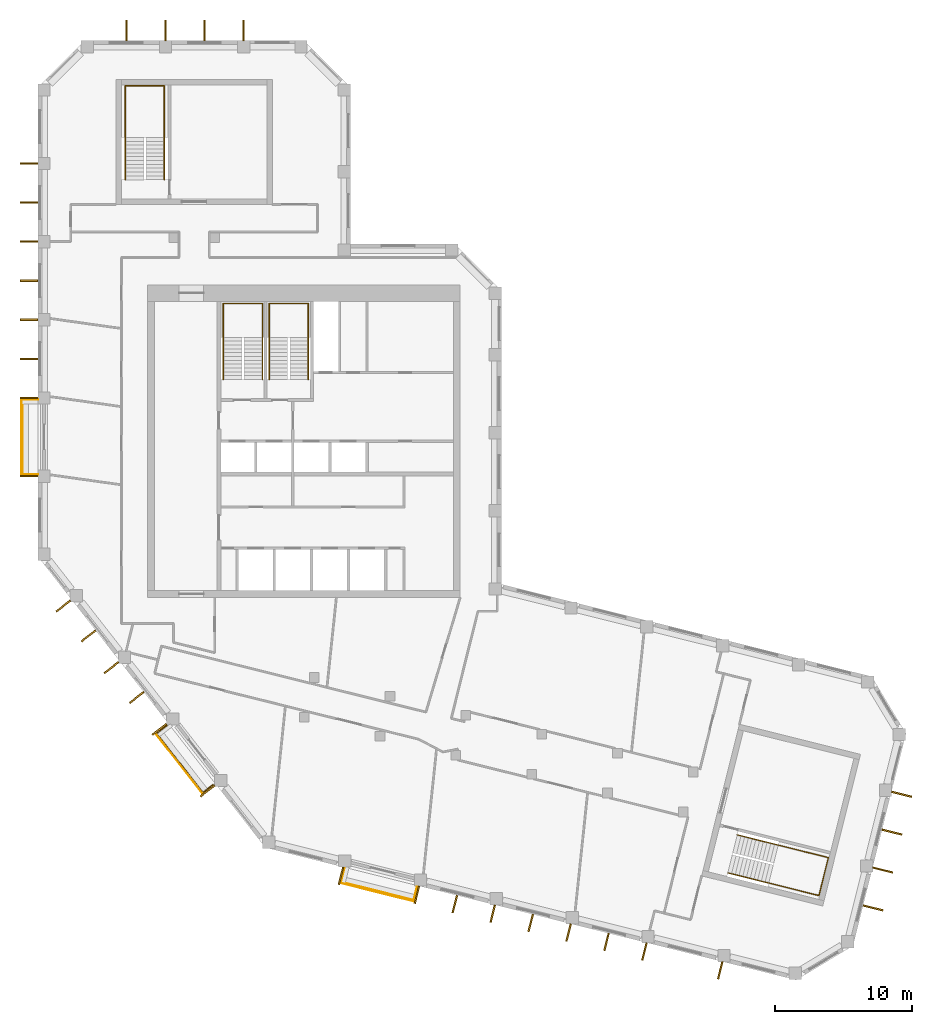
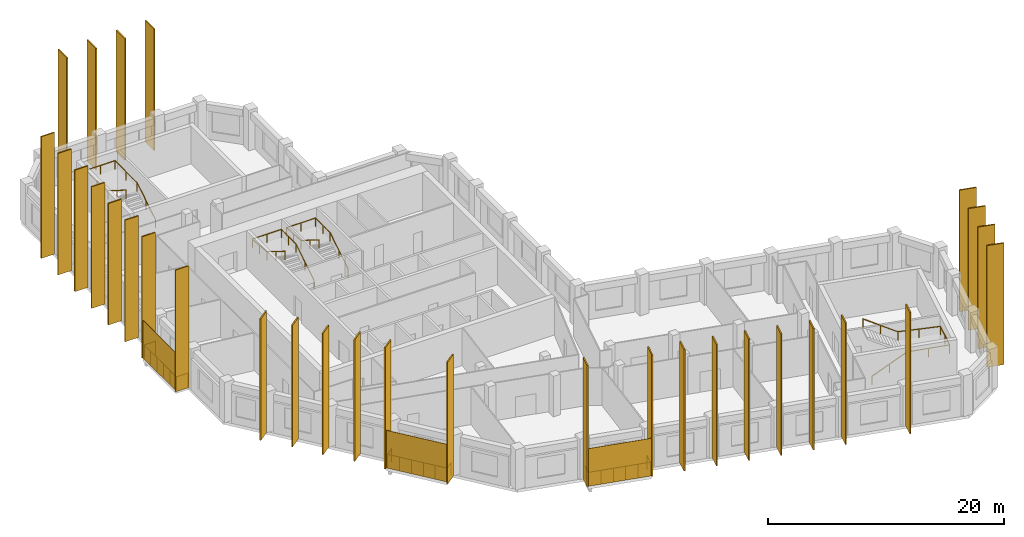
# One storey, part 8 of 8: 34 shading devices, 7 railings.
"""IFC4 building model written with IfcOpenShell, lengths in metres."""

from ifc_helpers import new_model, si_unit, direction, frame, origin, origin_2d, place, context, subcontext, project, spatial, rectangle, circle, extrude, material, layer, layer_set, type_object, element, save


model = new_model("IFC4")

# Units and contexts
model_context = context("Model", 3, precision=1e-05, world=origin(), true_north=direction((0.0, 1.0)))
body_context = subcontext(model_context, "Body", "Model", "MODEL_VIEW")
ifc_project = project(units=[si_unit("LENGTHUNIT", "METRE"), si_unit("AREAUNIT", "SQUARE_METRE"), si_unit("VOLUMEUNIT", "CUBIC_METRE"), si_unit("PLANEANGLEUNIT", "RADIAN"), si_unit("MASSUNIT", "GRAM", prefix="KILO")], contexts=[model_context])

# Site, building, storey
site_placement = place(None, origin())
site = spatial("IfcSite", under=ifc_project, at=site_placement, CompositionType="ELEMENT")
building_placement = place(site_placement, origin())
building = spatial("IfcBuilding", under=site, at=building_placement, Name="Meshkara Civic Tower", CompositionType="ELEMENT")
storey_placement = place(building_placement, frame((0.0, 0.0, 387.60009765625)))
storey = spatial("IfcBuildingStorey", under=building, at=storey_placement, Name="L89", CompositionType="ELEMENT", Elevation=387.60009765625)

# Railings
ifc_material_1 = material(Name="Steel S355", Category="steel")
railing_type_1 = type_object("IfcRailingType", Name="BALUSTRADE GUARD 1400", PredefinedType="BALUSTRADE", material=ifc_material_1)
railing_1_placement = place(storey_placement, frame((0.0, 28.534912109375, 0.0)))
element("IfcRailing", 1, at=railing_1_placement, inside=storey, type_object=railing_type_1, Name="Balcony guard", PredefinedType="BALUSTRADE", context=body_context, shape_type="SweptSolid", body=[
    extrude(circle(Radius=0.02392578125, at=origin_2d()), frame((0.0, 0.0, 1.3759765625), z_axis=(-1.0, 0.0, 0.0), x_axis=(0.0, -1.0, 0.0)), (0.0, 0.0, 1.0), 1.110107421875),
    extrude(circle(Radius=0.02392578125, at=origin_2d()), frame((-1.110107421875, 0.0, 1.3759765625), z_axis=(0.0, -1.0, 0.0), x_axis=(1.0, 0.0, 0.0)), (0.0, 0.0, 1.0), 5.4599609375),
    extrude(circle(Radius=0.02392578125, at=origin_2d()), frame((-1.110107421875, -5.4599609375, 1.3759765625), z_axis=(1.0, 0.0, 0.0), x_axis=(0.0, 1.0, 0.0)), (0.0, 0.0, 1.0), 1.110107421875),
    extrude(circle(Radius=0.02099609375, at=origin_2d()), origin(), (0.0, 0.0, 1.0), 1.351806640625),
    extrude(circle(Radius=0.02099609375, at=origin_2d()), frame((-1.110107421875, 0.0, 0.0)), (0.0, 0.0, 1.0), 1.351806640625),
    extrude(circle(Radius=0.02099609375, at=origin_2d()), frame((-1.110107421875, -1.092041015625, 0.0)), (0.0, 0.0, 1.0), 1.351806640625),
    extrude(circle(Radius=0.02099609375, at=origin_2d()), frame((-1.110107421875, -2.18408203125, 0.0)), (0.0, 0.0, 1.0), 1.351806640625),
    extrude(circle(Radius=0.02099609375, at=origin_2d()), frame((-1.110107421875, -3.27587890625, 0.0)), (0.0, 0.0, 1.0), 1.351806640625),
    extrude(circle(Radius=0.02099609375, at=origin_2d()), frame((-1.110107421875, -4.367919921875, 0.0)), (0.0, 0.0, 1.0), 1.351806640625),
    extrude(circle(Radius=0.02099609375, at=origin_2d()), frame((-1.110107421875, -5.4599609375, 0.0)), (0.0, 0.0, 1.0), 1.351806640625),
    extrude(circle(Radius=0.02099609375, at=origin_2d()), frame((0.0, -5.4599609375, 0.0)), (0.0, 0.0, 1.0), 1.351806640625),
])
railing_2_placement = place(storey_placement, frame((9.408935546875, 4.761962890625, 0.0)))
element("IfcRailing", 2, at=railing_2_placement, inside=storey, type_object=railing_type_1, Name="Balcony guard", PredefinedType="BALUSTRADE", context=body_context, shape_type="SweptSolid", body=[
    extrude(circle(Radius=0.02392578125, at=origin_2d()), frame((0.0, 0.0, 1.3759765625), z_axis=(-0.7875216523, -0.616286984415, 0.0), x_axis=(0.616286984415, -0.7875216523, 0.0)), (0.0, 0.0, 1.0), 0.92822265625),
    extrude(circle(Radius=0.02392578125, at=origin_2d()), frame((-0.73095703125, -0.572021484375, 1.3759765625), z_axis=(0.615660530481, -0.788011491799, 0.0), x_axis=(0.788011491799, 0.615660530481, 0.0)), (0.0, 0.0, 1.0), 5.459228515625),
    extrude(circle(Radius=0.02392578125, at=origin_2d()), frame((2.630126953125, -4.8740234375, 1.3759765625), z_axis=(0.7875216523, 0.616286984415, 0.0), x_axis=(-0.616286984415, 0.7875216523, 0.0)), (0.0, 0.0, 1.0), 0.92822265625),
    extrude(circle(Radius=0.02099609375, at=origin_2d()), origin(), (0.0, 0.0, 1.0), 1.351806640625),
    extrude(circle(Radius=0.02099609375, at=origin_2d()), frame((-0.73095703125, -0.572021484375, 0.0)), (0.0, 0.0, 1.0), 1.351806640625),
    extrude(circle(Radius=0.02099609375, at=origin_2d()), frame((-0.058837890625, -1.432373046875, 0.0)), (0.0, 0.0, 1.0), 1.351806640625),
    extrude(circle(Radius=0.02099609375, at=origin_2d()), frame((0.613525390625, -2.292724609375, 0.0)), (0.0, 0.0, 1.0), 1.351806640625),
    extrude(circle(Radius=0.02099609375, at=origin_2d()), frame((1.28564453125, -3.1533203125, 0.0)), (0.0, 0.0, 1.0), 1.351806640625),
    extrude(circle(Radius=0.02099609375, at=origin_2d()), frame((1.9580078125, -4.013671875, 0.0)), (0.0, 0.0, 1.0), 1.351806640625),
    extrude(circle(Radius=0.02099609375, at=origin_2d()), frame((2.630126953125, -4.8740234375, 0.0)), (0.0, 0.0, 1.0), 1.351806640625),
    extrude(circle(Radius=0.02099609375, at=origin_2d()), frame((3.361083984375, -4.302001953125, 0.0)), (0.0, 0.0, 1.0), 1.351806640625),
])
railing_3_placement = place(storey_placement, frame((22.365966796875, -5.675048828125, 0.0)))
element("IfcRailing", 3, at=railing_3_placement, inside=storey, type_object=railing_type_1, Name="Balcony guard", PredefinedType="BALUSTRADE", context=body_context, shape_type="SweptSolid", body=[
    extrude(circle(Radius=0.02392578125, at=origin_2d()), frame((0.0, 0.0, 1.3759765625), z_axis=(-0.241290129851, -0.970453024745, 0.0), x_axis=(0.970453024745, -0.241290129851, 0.0)), (0.0, 0.0, 1.0), 1.014892578125),
    extrude(circle(Radius=0.02392578125, at=origin_2d()), frame((-0.244873046875, -0.98486328125, 1.3759765625), z_axis=(0.970321130255, -0.241819983006, 0.0), x_axis=(0.241819983006, 0.970321130255, 0.0)), (0.0, 0.0, 1.0), 5.458984375),
    extrude(circle(Radius=0.02392578125, at=origin_2d()), frame((5.052001953125, -2.304931640625, 1.3759765625), z_axis=(0.242648904851, 0.970114173164, 0.0), x_axis=(-0.970114173164, 0.242648904851, 0.0)), (0.0, 0.0, 1.0), 1.01416015625),
    extrude(circle(Radius=0.02099609375, at=origin_2d()), origin(), (0.0, 0.0, 1.0), 1.351806640625),
    extrude(circle(Radius=0.02099609375, at=origin_2d()), frame((-0.244873046875, -0.98486328125, 0.0)), (0.0, 0.0, 1.0), 1.351806640625),
    extrude(circle(Radius=0.02099609375, at=origin_2d()), frame((0.814453125, -1.248779296875, 0.0)), (0.0, 0.0, 1.0), 1.351806640625),
    extrude(circle(Radius=0.02099609375, at=origin_2d()), frame((1.873779296875, -1.512939453125, 0.0)), (0.0, 0.0, 1.0), 1.351806640625),
    extrude(circle(Radius=0.02099609375, at=origin_2d()), frame((2.933349609375, -1.77685546875, 0.0)), (0.0, 0.0, 1.0), 1.351806640625),
    extrude(circle(Radius=0.02099609375, at=origin_2d()), frame((3.99267578125, -2.041015625, 0.0)), (0.0, 0.0, 1.0), 1.351806640625),
    extrude(circle(Radius=0.02099609375, at=origin_2d()), frame((5.052001953125, -2.304931640625, 0.0)), (0.0, 0.0, 1.0), 1.351806640625),
    extrude(circle(Radius=0.02099609375, at=origin_2d()), frame((5.298095703125, -1.321044921875, 0.0)), (0.0, 0.0, 1.0), 1.351806640625),
])

# Shading devices
ifc_material_2 = material(Name="Bronze anodised aluminium", Category="aluminium")
ifc_layer_1 = layer(ifc_material_2, 0.1201171875)
ifc_layer_set_1 = layer_set([ifc_layer_1], Name="BRONZE FIN 1300")
shading_device_type_1 = type_object("IfcShadingDeviceType", Name="BRONZE FIN 1300", PredefinedType="USERDEFINED", material=ifc_layer_set_1)
for number, where, z_axis, x_axis, name in (
    (4, (-0.64990234375, 45.7548828125, -0.000244140625), (0.0, 0.0, 1.0), (0.0, -1.0, 0.0), "Fin"),
    (5, (-0.64990234375, 42.905029296875, -0.000244140625), (0.0, 0.0, 1.0), (0.0, -1.0, 0.0), "Fin"),
    (6, (-0.64990234375, 40.054931640625, -0.000244140625), (0.0, 0.0, 1.0), (0.0, -1.0, 0.0), "Fin"),
    (7, (-0.64990234375, 37.205078125, -0.000244140625), (0.0, 0.0, 1.0), (0.0, -1.0, 0.0), "Fin"),
    (8, (-0.64990234375, 34.35498046875, -0.000244140625), (0.0, 0.0, 1.0), (0.0, -1.0, 0.0), "Fin"),
    (9, (-0.64990234375, 31.5048828125, -0.000244140625), (0.0, 0.0, 1.0), (0.0, -1.0, 0.0), "Fin"),
    (10, (-0.64990234375, 28.655029296875, -0.000244140625), (0.0, 0.0, 1.0), (0.0, -1.0, 0.0), "Fin"),
    (11, (-0.64990234375, 22.955078125, -0.000244140625), (0.0, 0.0, 1.0), (0.0, -1.0, 0.0), "Fin"),
    (12, (1.85205078125, 13.47705078125, -0.000244140625), (0.0, 0.0, 1.0), (0.615661475326, -0.788010753607, 0.0), "Fin"),
    (13, (3.701904296875, 11.305908203125, -0.000244140625), (0.0, 0.0, 1.0), (0.615661475326, -0.788010753607, 0.0), "Fin"),
    (14, (5.361083984375, 8.985107421875, -0.000244140625), (0.0, 0.0, 1.0), (0.615661475326, -0.788010753607, 0.0), "Fin"),
    (15, (7.2109375, 6.81396484375, -0.000244140625), (0.0, 0.0, 1.0), (0.615661475326, -0.788010753607, 0.0), "Fin"),
    (16, (8.87109375, 4.492919921875, -0.000244140625), (0.0, 0.0, 1.0), (0.615661475326, -0.788010753607, 0.0), "Fin"),
    (17, (12.3798828125, 0.001953125, -0.000244140625), (0.0, 0.0, 1.0), (0.615661475326, -0.788010753607, 0.0), "Fin"),
    (18, (22.113037109375, -6.197998046875, -0.000244140625), (0.0, 0.0, 1.0), (0.970295726276, -0.2419218956, 0.0), "Fin"),
    (19, (27.64306640625, -7.576904296875, -0.000244140625), (0.0, 0.0, 1.0), (0.970295726276, -0.2419218956, 0.0), "Fin"),
    (20, (30.410888671875, -8.2529296875, -0.000244140625), (0.0, 0.0, 1.0), (0.970295726276, -0.2419218956, 0.0), "Fin"),
    (21, (33.174072265625, -8.9560546875, -0.000244140625), (0.0, 0.0, 1.0), (0.970295726276, -0.2419218956, 0.0), "Fin"),
    (22, (35.94189453125, -9.632080078125, -0.000244140625), (0.0, 0.0, 1.0), (0.970295726276, -0.2419218956, 0.0), "Fin"),
    (23, (38.705078125, -10.3349609375, -0.000244140625), (0.0, 0.0, 1.0), (0.970295726276, -0.2419218956, 0.0), "Fin"),
    (24, (41.472900390625, -11.010986328125, -0.000244140625), (0.0, 0.0, 1.0), (0.970295726276, -0.2419218956, 0.0), "Fin"),
    (25, (44.235107421875, -11.714111328125, -0.000244140625), (0.0, 0.0, 1.0), (0.970295726276, -0.2419218956, 0.0), "Fin"),
    (26, (49.76611328125, -13.093017578125, -0.000244140625), (0.0, 0.0, 1.0), (0.970295726276, -0.2419218956, 0.0), "Fin"),
):
    element("IfcShadingDevice", number, at=place(storey_placement, frame(where, z_axis=z_axis, x_axis=x_axis)), inside=storey, type_object=shading_device_type_1, Name=name, ObjectType="FIN", PredefinedType="USERDEFINED", context=body_context, shape_type="SweptSolid", body=[
        extrude(rectangle(XDim=0.1201171875, YDim=1.300048828125, at=origin_2d()), origin(), (0.0, 0.0, 1.0), 12.60009765625),
    ])
ifc_material_3 = material(Name="Bronze anodised aluminium", Category="aluminium")
ifc_layer_2 = layer(ifc_material_3, 0.1201171875)
ifc_layer_set_2 = layer_set([ifc_layer_2], Name="BRONZE FIN 1500")
shading_device_type_2 = type_object("IfcShadingDeviceType", Name="BRONZE FIN 1500", PredefinedType="USERDEFINED", material=ifc_layer_set_2)
for number, where, z_axis, x_axis, name in (
    (27, (15.006103515625, 55.469970703125, -0.000244140625), (0.0, 0.0, 1.0), (-1.0, 0.0, 0.0), "Fin"),
    (28, (12.156005859375, 55.469970703125, -0.000244140625), (0.0, 0.0, 1.0), (-1.0, 0.0, 0.0), "Fin"),
    (29, (9.305908203125, 55.469970703125, -0.000244140625), (0.0, 0.0, 1.0), (-1.0, 0.0, 0.0), "Fin"),
    (30, (6.4560546875, 55.469970703125, -0.000244140625), (0.0, 0.0, 1.0), (-1.0, 0.0, 0.0), "Fin"),
    (31, (60.9150390625, -8.533935546875, -0.000244140625), (0.0, 0.0, 1.0), (0.2419218956, 0.970295726276, 0.0), "Fin"),
    (32, (61.617919921875, -5.77197265625, -0.000244140625), (0.0, 0.0, 1.0), (0.2419218956, 0.970295726276, 0.0), "Fin"),
    (33, (62.2939453125, -3.0029296875, -0.000244140625), (0.0, 0.0, 1.0), (0.2419218956, 0.970295726276, 0.0), "Fin"),
    (34, (62.9970703125, -0.241943359375, -0.000244140625), (0.0, 0.0, 1.0), (0.2419218956, 0.970295726276, 0.0), "Fin"),
):
    element("IfcShadingDevice", number, at=place(storey_placement, frame(where, z_axis=z_axis, x_axis=x_axis)), inside=storey, type_object=shading_device_type_2, Name=name, ObjectType="FIN", PredefinedType="USERDEFINED", context=body_context, shape_type="SweptSolid", body=[
        extrude(rectangle(XDim=0.1201171875, YDim=1.5, at=origin_2d()), origin(), (0.0, 0.0, 1.0), 12.60009765625),
    ])
ifc_material_4 = material(Name="Perforated bronze anodised aluminium sheet", Category="aluminium")
ifc_layer_3 = layer(ifc_material_4, 0.0400390625)
ifc_layer_set_3 = layer_set([ifc_layer_3], Name="PERFORATED BRONZE SCREEN")
shading_device_type_3 = type_object("IfcShadingDeviceType", Name="PERFORATED BRONZE SCREEN", PredefinedType="USERDEFINED", material=ifc_layer_set_3)
shading_device_placement = place(storey_placement, frame((-1.179931640625, 25.804931640625, 0.0), z_axis=(0.0, 0.0, 1.0), x_axis=(0.0, -1.0, 0.0)))
element("IfcShadingDevice", 35, at=shading_device_placement, inside=storey, type_object=shading_device_type_3, Name="Balcony screen", ObjectType="SCREEN", PredefinedType="USERDEFINED", context=body_context, shape_type="SweptSolid", body=[
    extrude(rectangle(XDim=5.580078125, YDim=0.0400390625, at=origin_2d()), origin(), (0.0, 0.0, 1.0), 3.89990234375),
])
for number, where, z_axis, x_axis, name in (
    (36, (10.302978515625, 1.99609375, 0.0), (0.0, 0.0, 1.0), (0.615661475326, -0.788010753607, 0.0), "Balcony screen"),
    (37, (24.7529296875, -7.387939453125, 0.0), (0.0, 0.0, 1.0), (0.970295726276, -0.2419218956, 0.0), "Balcony screen"),
):
    element("IfcShadingDevice", number, at=place(storey_placement, frame(where, z_axis=z_axis, x_axis=x_axis)), inside=storey, type_object=shading_device_type_3, Name=name, ObjectType="SCREEN", PredefinedType="USERDEFINED", context=body_context, shape_type="SweptSolid", body=[
        extrude(rectangle(XDim=5.5791015625, YDim=0.0400390625, at=origin_2d()), origin(), (0.0, 0.0, 1.0), 3.89990234375),
    ])

# Railings
ifc_material_5 = material(Name="Steel handrail", Category="steel")
railing_type_2 = type_object("IfcRailingType", Name="Stair handrail 900", PredefinedType="HANDRAIL", material=ifc_material_5)
railing_4_placement = place(storey_placement, frame((16.375, 30.0, 0.1748046875)))
element("IfcRailing", 38, at=railing_4_placement, inside=storey, type_object=railing_type_2, Name="L89 ST1 stair handrail 1", PredefinedType="HANDRAIL", context=body_context, shape_type="SweptSolid", body=[
    extrude(circle(Radius=0.02392578125, at=origin_2d()), frame((0.0, 0.0, 0.8759765625), z_axis=(0.0, 0.847998304005, 0.529998940003), x_axis=(-1.0, 0.0, 0.0)), (0.0, 0.0, 1.0), 3.632080078125),
    extrude(circle(Radius=0.02392578125, at=origin_2d()), frame((0.0, 3.080078125, 2.80078125), z_axis=(0.0, 1.0, 0.0), x_axis=(-1.0, 0.0, 0.0)), (0.0, 0.0, 1.0), 2.469970703125),
    extrude(circle(Radius=0.02392578125, at=origin_2d()), frame((0.0, 5.550048828125, 2.80078125), z_axis=(-1.0, 0.0, 0.0), x_axis=(0.0, -1.0, 0.0)), (0.0, 0.0, 1.0), 2.85009765625),
    extrude(circle(Radius=0.02392578125, at=origin_2d()), frame((-2.85009765625, 5.550048828125, 2.80078125), z_axis=(0.0, -0.997498084828, 0.070693498747), x_axis=(1.0, 0.0, 0.0)), (0.0, 0.0, 1.0), 2.47607421875),
    extrude(circle(Radius=0.02392578125, at=origin_2d()), frame((-2.85009765625, 3.080078125, 2.97607421875), z_axis=(0.0, -0.847998304005, 0.529998940003), x_axis=(1.0, 0.0, 0.0)), (0.0, 0.0, 1.0), 3.632080078125),
    extrude(circle(Radius=0.02099609375, at=origin_2d()), origin(), (0.0, 0.0, 1.0), 0.851806640625),
    extrude(circle(Radius=0.02099609375, at=origin_2d()), frame((0.0, 1.5400390625, 0.96240234375)), (0.0, 0.0, 1.0), 0.851806640625),
    extrude(circle(Radius=0.02099609375, at=origin_2d()), frame((0.0, 3.080078125, 1.925048828125)), (0.0, 0.0, 1.0), 0.851806640625),
    extrude(circle(Radius=0.02099609375, at=origin_2d()), frame((0.0, 4.31494140625, 1.925048828125)), (0.0, 0.0, 1.0), 0.851806640625),
    extrude(circle(Radius=0.02099609375, at=origin_2d()), frame((0.0, 5.550048828125, 1.925048828125)), (0.0, 0.0, 1.0), 0.851806640625),
    extrude(circle(Radius=0.02099609375, at=origin_2d()), frame((-1.425048828125, 5.550048828125, 1.925048828125)), (0.0, 0.0, 1.0), 0.851806640625),
    extrude(circle(Radius=0.02099609375, at=origin_2d()), frame((-2.85009765625, 5.550048828125, 1.925048828125)), (0.0, 0.0, 1.0), 0.851806640625),
    extrude(circle(Radius=0.02099609375, at=origin_2d()), frame((-2.85009765625, 4.31494140625, 2.0126953125)), (0.0, 0.0, 1.0), 0.851806640625),
    extrude(circle(Radius=0.02099609375, at=origin_2d()), frame((-2.85009765625, 3.080078125, 2.10009765625)), (0.0, 0.0, 1.0), 0.851806640625),
    extrude(circle(Radius=0.02099609375, at=origin_2d()), frame((-2.85009765625, 1.5400390625, 3.0625)), (0.0, 0.0, 1.0), 0.851806640625),
    extrude(circle(Radius=0.02099609375, at=origin_2d()), frame((-2.85009765625, 0.0, 4.025146484375)), (0.0, 0.0, 1.0), 0.851806640625),
])
railing_5_placement = place(storey_placement, frame((19.72509765625, 30.0, 0.1748046875)))
element("IfcRailing", 39, at=railing_5_placement, inside=storey, type_object=railing_type_2, Name="L89 ST2 stair handrail 1", PredefinedType="HANDRAIL", context=body_context, shape_type="SweptSolid", body=[
    extrude(circle(Radius=0.02392578125, at=origin_2d()), frame((0.0, 0.0, 0.8759765625), z_axis=(0.0, 0.847998304005, 0.529998940003), x_axis=(-1.0, 0.0, 0.0)), (0.0, 0.0, 1.0), 3.632080078125),
    extrude(circle(Radius=0.02392578125, at=origin_2d()), frame((0.0, 3.080078125, 2.80078125), z_axis=(0.0, 1.0, 0.0), x_axis=(-1.0, 0.0, 0.0)), (0.0, 0.0, 1.0), 2.469970703125),
    extrude(circle(Radius=0.02392578125, at=origin_2d()), frame((0.0, 5.550048828125, 2.80078125), z_axis=(-1.0, 0.0, 0.0), x_axis=(0.0, -1.0, 0.0)), (0.0, 0.0, 1.0), 2.85009765625),
    extrude(circle(Radius=0.02392578125, at=origin_2d()), frame((-2.85009765625, 5.550048828125, 2.80078125), z_axis=(0.0, -0.997498084828, 0.070693498747), x_axis=(1.0, 0.0, 0.0)), (0.0, 0.0, 1.0), 2.47607421875),
    extrude(circle(Radius=0.02392578125, at=origin_2d()), frame((-2.85009765625, 3.080078125, 2.97607421875), z_axis=(0.0, -0.847998304005, 0.529998940003), x_axis=(1.0, 0.0, 0.0)), (0.0, 0.0, 1.0), 3.632080078125),
    extrude(circle(Radius=0.02099609375, at=origin_2d()), origin(), (0.0, 0.0, 1.0), 0.851806640625),
    extrude(circle(Radius=0.02099609375, at=origin_2d()), frame((0.0, 1.5400390625, 0.96240234375)), (0.0, 0.0, 1.0), 0.851806640625),
    extrude(circle(Radius=0.02099609375, at=origin_2d()), frame((0.0, 3.080078125, 1.925048828125)), (0.0, 0.0, 1.0), 0.851806640625),
    extrude(circle(Radius=0.02099609375, at=origin_2d()), frame((0.0, 4.31494140625, 1.925048828125)), (0.0, 0.0, 1.0), 0.851806640625),
    extrude(circle(Radius=0.02099609375, at=origin_2d()), frame((0.0, 5.550048828125, 1.925048828125)), (0.0, 0.0, 1.0), 0.851806640625),
    extrude(circle(Radius=0.02099609375, at=origin_2d()), frame((-1.425048828125, 5.550048828125, 1.925048828125)), (0.0, 0.0, 1.0), 0.851806640625),
    extrude(circle(Radius=0.02099609375, at=origin_2d()), frame((-2.85009765625, 5.550048828125, 1.925048828125)), (0.0, 0.0, 1.0), 0.851806640625),
    extrude(circle(Radius=0.02099609375, at=origin_2d()), frame((-2.85009765625, 4.31494140625, 2.0126953125)), (0.0, 0.0, 1.0), 0.851806640625),
    extrude(circle(Radius=0.02099609375, at=origin_2d()), frame((-2.85009765625, 3.080078125, 2.10009765625)), (0.0, 0.0, 1.0), 0.851806640625),
    extrude(circle(Radius=0.02099609375, at=origin_2d()), frame((-2.85009765625, 1.5400390625, 3.0625)), (0.0, 0.0, 1.0), 0.851806640625),
    extrude(circle(Radius=0.02099609375, at=origin_2d()), frame((-2.85009765625, 0.0, 4.025146484375)), (0.0, 0.0, 1.0), 0.851806640625),
])
railing_6_placement = place(storey_placement, frame((9.22509765625, 44.570068359375, 0.1748046875)))
element("IfcRailing", 40, at=railing_6_placement, inside=storey, type_object=railing_type_2, Name="L89 ESA6 stair handrail 1", PredefinedType="HANDRAIL", context=body_context, shape_type="SweptSolid", body=[
    extrude(circle(Radius=0.02392578125, at=origin_2d()), frame((0.0, 0.0, 0.8759765625), z_axis=(0.0, 0.847979421464, 0.530029150871), x_axis=(-1.0, 0.0, 0.0)), (0.0, 0.0, 1.0), 3.632080078125),
    extrude(circle(Radius=0.02392578125, at=origin_2d()), frame((0.0, 3.079833984375, 2.80078125), z_axis=(0.0, 1.0, 0.0), x_axis=(-1.0, 0.0, 0.0)), (0.0, 0.0, 1.0), 3.77001953125),
    extrude(circle(Radius=0.02392578125, at=origin_2d()), frame((0.0, 6.849853515625, 2.80078125), z_axis=(-1.0, 0.0, 0.0), x_axis=(0.0, -1.0, 0.0)), (0.0, 0.0, 1.0), 2.85009765625),
    extrude(circle(Radius=0.02392578125, at=origin_2d()), frame((-2.85009765625, 6.849853515625, 2.80078125), z_axis=(0.0, -0.9989237834, 0.046381838667), x_axis=(1.0, 0.0, 0.0)), (0.0, 0.0, 1.0), 3.774169921875),
    extrude(circle(Radius=0.02392578125, at=origin_2d()), frame((-2.85009765625, 3.079833984375, 2.97607421875), z_axis=(0.0, -0.847979421464, 0.530029150871), x_axis=(1.0, 0.0, 0.0)), (0.0, 0.0, 1.0), 3.632080078125),
    extrude(circle(Radius=0.02099609375, at=origin_2d()), origin(), (0.0, 0.0, 1.0), 0.851806640625),
    extrude(circle(Radius=0.02099609375, at=origin_2d()), frame((0.0, 1.5400390625, 0.96240234375)), (0.0, 0.0, 1.0), 0.851806640625),
    extrude(circle(Radius=0.02099609375, at=origin_2d()), frame((0.0, 3.079833984375, 1.925048828125)), (0.0, 0.0, 1.0), 0.851806640625),
    extrude(circle(Radius=0.02099609375, at=origin_2d()), frame((0.0, 4.96484375, 1.925048828125)), (0.0, 0.0, 1.0), 0.851806640625),
    extrude(circle(Radius=0.02099609375, at=origin_2d()), frame((0.0, 6.849853515625, 1.925048828125)), (0.0, 0.0, 1.0), 0.851806640625),
    extrude(circle(Radius=0.02099609375, at=origin_2d()), frame((-1.425048828125, 6.849853515625, 1.925048828125)), (0.0, 0.0, 1.0), 0.851806640625),
    extrude(circle(Radius=0.02099609375, at=origin_2d()), frame((-2.85009765625, 6.849853515625, 1.925048828125)), (0.0, 0.0, 1.0), 0.851806640625),
    extrude(circle(Radius=0.02099609375, at=origin_2d()), frame((-2.85009765625, 4.96484375, 2.0126953125)), (0.0, 0.0, 1.0), 0.851806640625),
    extrude(circle(Radius=0.02099609375, at=origin_2d()), frame((-2.85009765625, 3.079833984375, 2.10009765625)), (0.0, 0.0, 1.0), 0.851806640625),
    extrude(circle(Radius=0.02099609375, at=origin_2d()), frame((-2.85009765625, 1.5400390625, 3.0625)), (0.0, 0.0, 1.0), 0.851806640625),
    extrude(circle(Radius=0.02099609375, at=origin_2d()), frame((-2.85009765625, 0.0, 4.025146484375)), (0.0, 0.0, 1.0), 0.851806640625),
])
railing_7_placement = place(storey_placement, frame((50.31884765625, -5.975341796875, 0.1748046875)))
element("IfcRailing", 41, at=railing_7_placement, inside=storey, type_object=railing_type_2, Name="L89 ESB6 stair handrail 1", PredefinedType="HANDRAIL", context=body_context, shape_type="SweptSolid", body=[
    extrude(circle(Radius=0.02392578125, at=origin_2d()), frame((0.0, 0.0, 0.8759765625), z_axis=(0.822816010835, -0.205082235851, 0.530014234575), x_axis=(0.241845469214, 0.970314778317, 0.0)), (0.0, 0.0, 1.0), 3.632080078125),
    extrude(circle(Radius=0.02392578125, at=origin_2d()), frame((2.988525390625, -0.744873046875, 2.80078125), z_axis=(0.970325068916, -0.241804178279, 0.0), x_axis=(0.241804178279, 0.970325068916, 0.0)), (0.0, 0.0, 1.0), 3.77001953125),
    extrude(circle(Radius=0.02392578125, at=origin_2d()), frame((6.646728515625, -1.656494140625, 2.80078125), z_axis=(0.24183009087, 0.970318611153, 0.0), x_axis=(-0.970318611153, 0.24183009087, 0.0)), (0.0, 0.0, 1.0), 2.849853515625),
    extrude(circle(Radius=0.02392578125, at=origin_2d()), frame((7.3359375, 1.10888671875, 2.80078125), z_axis=(-0.969265675791, 0.241604865128, 0.046380371699), x_axis=(-0.241865147941, -0.970309873294, 0.0)), (0.0, 0.0, 1.0), 3.774169921875),
    extrude(circle(Radius=0.02392578125, at=origin_2d()), frame((3.677734375, 2.020751953125, 2.97607421875), z_axis=(-0.822827351915, 0.205017843586, 0.530021539894), x_axis=(-0.241770835762, -0.970333377234, 0.0)), (0.0, 0.0, 1.0), 3.632080078125),
    extrude(circle(Radius=0.02099609375, at=origin_2d()), origin(), (0.0, 0.0, 1.0), 0.851806640625),
    extrude(circle(Radius=0.02099609375, at=origin_2d()), frame((1.494140625, -0.37255859375, 0.96240234375)), (0.0, 0.0, 1.0), 0.851806640625),
    extrude(circle(Radius=0.02099609375, at=origin_2d()), frame((2.988525390625, -0.744873046875, 1.925048828125)), (0.0, 0.0, 1.0), 0.851806640625),
    extrude(circle(Radius=0.02099609375, at=origin_2d()), frame((4.817626953125, -1.20068359375, 1.925048828125)), (0.0, 0.0, 1.0), 0.851806640625),
    extrude(circle(Radius=0.02099609375, at=origin_2d()), frame((6.646728515625, -1.656494140625, 1.925048828125)), (0.0, 0.0, 1.0), 0.851806640625),
    extrude(circle(Radius=0.02099609375, at=origin_2d()), frame((6.9912109375, -0.27392578125, 1.925048828125)), (0.0, 0.0, 1.0), 0.851806640625),
    extrude(circle(Radius=0.02099609375, at=origin_2d()), frame((7.3359375, 1.10888671875, 1.925048828125)), (0.0, 0.0, 1.0), 0.851806640625),
    extrude(circle(Radius=0.02099609375, at=origin_2d()), frame((5.5068359375, 1.56494140625, 2.0126953125)), (0.0, 0.0, 1.0), 0.851806640625),
    extrude(circle(Radius=0.02099609375, at=origin_2d()), frame((3.677734375, 2.020751953125, 2.10009765625)), (0.0, 0.0, 1.0), 0.851806640625),
    extrude(circle(Radius=0.02099609375, at=origin_2d()), frame((2.18359375, 2.39306640625, 3.0625)), (0.0, 0.0, 1.0), 0.851806640625),
    extrude(circle(Radius=0.02099609375, at=origin_2d()), frame((0.689208984375, 2.765380859375, 4.025146484375)), (0.0, 0.0, 1.0), 0.851806640625),
])

save(model, "model.ifc")
